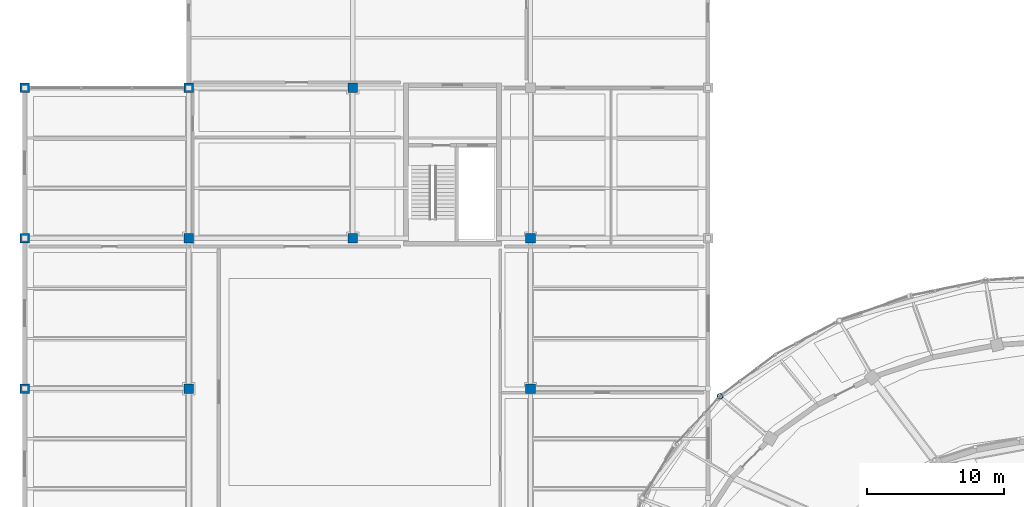
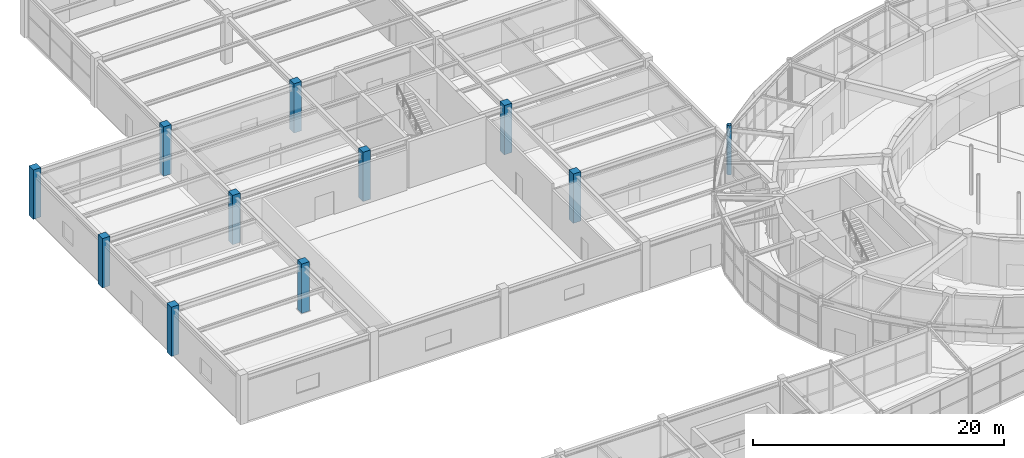
# One storey, part 11 of 108: 11 columns.
"""IFC4 building model written with IfcOpenShell, lengths in metres."""

import ifcopenshell
import ifcopenshell.guid

model = None  # the IFC model being written
_history = None  # IfcOwnerHistory: only IFC2X3 demands one
_inside = {}  # id of a spatial element -> (the spatial element, [elements in it])
_under = {}  # id of a project, library or spatial element -> (it, [spatial elements below it])
_declared = {}  # id of a project -> (the project, [libraries it declares])
_typed = {}  # id of a type object -> (the type object, [elements of that type])
_made_of = {}  # id of a material, layer set ... -> (it, [elements and type objects made of it])


def new_model(schema):
    """Start an empty IFC model of exactly this schema.

    Asked for "IFC4X3", IfcOpenShell would pick the latest addendum, in which some entities
    have other attributes; the version numbers below select the first issue.
    IFC2X3 requires an IfcOwnerHistory on every rooted entity: one is made here for all.
    """
    global model, _history
    if schema == "IFC4X3":
        model = ifcopenshell.file(schema_version=(4, 3, 0, 0))
    else:
        model = ifcopenshell.file(schema=schema)
    _inside.clear()
    _under.clear()
    _declared.clear()
    _typed.clear()
    _made_of.clear()
    _history = None
    if model.schema == "IFC2X3":
        org = make("IfcOrganization", Name="unknown")
        user = make(
            "IfcPersonAndOrganization",
            ThePerson=make("IfcPerson", FamilyName="unknown"),
            TheOrganization=org,
        )
        app = make(
            "IfcApplication",
            ApplicationDeveloper=org,
            Version="unknown",
            ApplicationFullName="unknown",
            ApplicationIdentifier="unknown",
        )
        _history = make(
            "IfcOwnerHistory",
            OwningUser=user,
            OwningApplication=app,
            ChangeAction="ADDED",
            CreationDate=0,
        )
    return model


def make(cls, **values):
    """One entity of the class cls with the attributes given. An attribute that is None is left unset."""
    return model.create_entity(
        cls, **{name: value for name, value in values.items() if value is not None}
    )


def rooted(cls, **values):
    """An entity with a GlobalId (a new one), such as an element, a storey or a relation."""
    return make(cls, GlobalId=ifcopenshell.guid.new(), OwnerHistory=_history, **values)


def si_unit(unit_type, name, prefix=None):
    """IfcSIUnit, for example si_unit("LENGTHUNIT", "METRE", prefix="MILLI")."""
    return make("IfcSIUnit", UnitType=unit_type, Prefix=prefix, Name=name)


def assignment(units):
    """IfcUnitAssignment: the units of a project."""
    return None if units is None else make("IfcUnitAssignment", Units=units)


def point(xyz):
    """IfcCartesianPoint."""
    return None if xyz is None else make("IfcCartesianPoint", Coordinates=xyz)


def direction(xyz):
    """IfcDirection."""
    return None if xyz is None else make("IfcDirection", DirectionRatios=xyz)


def frame(location, z_axis=None, x_axis=None):
    """IfcAxis2Placement3D, a coordinate frame: its origin and axes. An axis left out is left unset."""
    return make(
        "IfcAxis2Placement3D",
        Location=point(location),
        Axis=direction(z_axis),
        RefDirection=direction(x_axis),
    )


def frame_2d(location, x_axis=None):
    """IfcAxis2Placement2D, a coordinate frame in the plane: its origin and x axis."""
    return make(
        "IfcAxis2Placement2D", Location=point(location), RefDirection=direction(x_axis)
    )


def origin():
    """The frame at (0, 0, 0) with its axes left unset."""
    return frame((0.0, 0.0, 0.0))


def origin_2d():
    """The frame at (0, 0) in the plane with its x axis left unset."""
    return frame_2d((0.0, 0.0))


def place(relative_to, where):
    """IfcLocalPlacement: puts the frame where relative to a parent placement (None: the world)."""
    return make(
        "IfcLocalPlacement", PlacementRelTo=relative_to, RelativePlacement=where
    )


def context(
    kind, dimensions, precision=None, world=None, true_north=None, identifier=None
):
    """IfcGeometricRepresentationContext, for example the 3D "Model" context."""
    return make(
        "IfcGeometricRepresentationContext",
        ContextIdentifier=identifier,
        ContextType=kind,
        CoordinateSpaceDimension=dimensions,
        Precision=precision,
        WorldCoordinateSystem=world,
        TrueNorth=true_north,
    )


def subcontext(parent, identifier, kind, view, scale=None):
    """IfcGeometricRepresentationSubContext, for example "Body" below "Model"."""
    return make(
        "IfcGeometricRepresentationSubContext",
        ContextIdentifier=identifier,
        ContextType=kind,
        ParentContext=parent,
        TargetScale=scale,
        TargetView=view,
    )


def project(units=None, contexts=None):
    """IfcProject with its units and contexts."""
    return rooted(
        "IfcProject",
        Name="project",
        RepresentationContexts=contexts,
        UnitsInContext=assignment(units),
    )


def spatial(cls, under=None, at=None, **own):
    """A site, building, storey or space (cls), placed at a placement, below another one or the project."""
    s = rooted(cls, ObjectPlacement=at, **own)
    if under is not None:
        _under.setdefault(under.id(), (under, []))[1].append(s)
    return s


def profile(cls, at=None, kind="AREA", **sizes):
    """A parametric profile (cls). Its sizes go by their IFC names, for example OverallWidth=200.0."""
    return make(cls, ProfileType=kind, Position=at, **sizes)


def rectangle(**sizes):
    """IfcRectangleProfileDef."""
    return profile("IfcRectangleProfileDef", **sizes)


def hollow_circle(**sizes):
    """IfcCircleHollowProfileDef."""
    return profile("IfcCircleHollowProfileDef", **sizes)


def extrude(swept, where, along, depth):
    """IfcExtrudedAreaSolid: the profile swept, set in the frame where, extruded along a direction by depth."""
    return make(
        "IfcExtrudedAreaSolid",
        SweptArea=swept,
        Position=where,
        ExtrudedDirection=direction(along),
        Depth=depth,
    )


def shape(context_of_items, identifier, shape_type, items):
    """IfcShapeRepresentation: the items that make up one representation, for example the "Body"."""
    return make(
        "IfcShapeRepresentation",
        ContextOfItems=context_of_items,
        RepresentationIdentifier=identifier,
        RepresentationType=shape_type,
        Items=items,
    )


def material(Name=None, Category=None):
    """IfcMaterial."""
    return make("IfcMaterial", Name=Name, Category=Category)


def material_profile(
    of_material, cross_section, Name=None, Category=None, Priority=None
):
    """IfcMaterialProfile: a cross section and its material."""
    return make(
        "IfcMaterialProfile",
        Name=Name,
        Material=of_material,
        Profile=cross_section,
        Priority=Priority,
        Category=Category,
    )


def profile_set(profiles, Name=None, composite=None):
    """IfcMaterialProfileSet."""
    return make(
        "IfcMaterialProfileSet",
        Name=Name,
        MaterialProfiles=profiles,
        CompositeProfile=composite,
    )


def made_of(thing, what):
    """Note that an element or type object is made of a material, layer set ...; save() writes the relation."""
    if what is not None:
        _made_of.setdefault(what.id(), (what, []))[1].append(thing)
    return thing


def type_object(cls, material=None, **own):
    """A type object (cls), such as IfcWallType, which elements share."""
    return made_of(rooted(cls, **own), material)


def element(
    cls,
    number,
    at=None,
    inside=None,
    cuts=None,
    type_object=None,
    material=None,
    context=None,
    identifier="Body",
    shape_type=None,
    held_by="IfcProductDefinitionShape",
    body=None,
    shapes=None,
    **own,
):
    """One element of the class cls, such as IfcWall. Its Tag is "e" and its number.

    at: its placement. inside: the storey or other place that contains it. cuts: it is an
    opening in that element (IfcRelVoidsElement). A single representation is given by context,
    identifier, shape_type and body (its items); several are given by shapes. held_by: the class
    of the entity that holds the representations. save() writes the other relations.
    """
    e = rooted(cls, Tag="e%d" % number, ObjectPlacement=at, **own)
    if body is not None:
        shapes = [shape(context, identifier, shape_type, body)]
    if shapes is not None:
        e.Representation = make(held_by, Representations=shapes)
    if inside is not None:
        _inside.setdefault(inside.id(), (inside, []))[1].append(e)
    if cuts is not None:
        rooted(
            "IfcRelVoidsElement", RelatingBuildingElement=cuts, RelatedOpeningElement=e
        )
    if type_object is not None:
        _typed.setdefault(type_object.id(), (type_object, []))[1].append(e)
    return made_of(e, material)


def aggregate(whole, parts):
    """IfcRelAggregates: a whole, such as a stair, and the parts it consists of."""
    return rooted("IfcRelAggregates", RelatingObject=whole, RelatedObjects=parts)


def save(model, path):
    """Write the relations noted so far, then the file.

    IfcRelAggregates (storeys below a building ...), IfcRelContainedInSpatialStructure (elements
    in a storey), IfcRelDefinesByType, IfcRelAssociatesMaterial and IfcRelDeclares: one each for
    every whole, place, type object, material and project.
    """
    for whole, parts in _under.values():
        aggregate(whole, parts)
    for where, things in _inside.values():
        rooted(
            "IfcRelContainedInSpatialStructure",
            RelatedElements=things,
            RelatingStructure=where,
        )
    for kind, things in _typed.values():
        rooted("IfcRelDefinesByType", RelatedObjects=things, RelatingType=kind)
    for what, things in _made_of.values():
        rooted("IfcRelAssociatesMaterial", RelatedObjects=things, RelatingMaterial=what)
    for by, libraries in _declared.values():
        rooted("IfcRelDeclares", RelatingContext=by, RelatedDefinitions=libraries)
    model.write(path)


model = new_model("IFC4")

# Units and contexts
model_context = context("Model", 3, precision=1e-05, world=origin(), true_north=direction((0.0, 1.0)))
body_context = subcontext(model_context, "Body", "Model", "MODEL_VIEW")
ifc_project = project(units=[si_unit("LENGTHUNIT", "METRE"), si_unit("AREAUNIT", "SQUARE_METRE"), si_unit("VOLUMEUNIT", "CUBIC_METRE"), si_unit("PLANEANGLEUNIT", "RADIAN"), si_unit("MASSUNIT", "GRAM", prefix="KILO")], contexts=[model_context])

# Site, building, storey
site_placement = place(None, origin())
site = spatial("IfcSite", under=ifc_project, at=site_placement, CompositionType="ELEMENT")
building_placement = place(site_placement, origin())
building = spatial("IfcBuilding", under=site, at=building_placement, Name="Tarnveldt Headland Concert Hall", CompositionType="ELEMENT")
storey_placement = place(building_placement, origin())
storey = spatial("IfcBuildingStorey", under=building, at=storey_placement, Name="L00", CompositionType="ELEMENT", Elevation=0.0)

# Columns
ifc_material_1 = material(Name="Concrete C40/50", Category="concrete")
ifc_material_profile_1 = material_profile(ifc_material_1, rectangle(XDim=0.699951171875, YDim=0.699951171875, at=origin_2d()), Name="RC 700x700", Category="concrete")
ifc_profile_set_1 = profile_set([ifc_material_profile_1], Name="Concrete C40/50")
column_type_1 = type_object("IfcColumnType", Name="CC-700", PredefinedType="COLUMN", material=ifc_profile_set_1)
for number, where, z_axis, x_axis, name in (
    (1, (7.5, 71.0, 0.0), (0.0, 0.0, 1.0), (1.0, 0.0, 0.0), "Column V5C02 L00"),
    (2, (7.5, 82.0, 0.0), (0.0, 0.0, 1.0), (1.0, 0.0, 0.0), "Column V5C03 L00"),
    (3, (7.5, 93.0, 0.0), (0.0, 0.0, 1.0), (1.0, 0.0, 0.0), "Column V5C04 L00"),
    (4, (19.5, 71.0, 0.0), (0.0, 0.0, 1.0), (1.0, 0.0, 0.0), "Column V5C06 L00"),
    (5, (19.5, 82.0, 0.0), (0.0, 0.0, 1.0), (1.0, 0.0, 0.0), "Column V5C07 L00"),
    (6, (19.5, 93.0, 0.0), (0.0, 0.0, 1.0), (1.0, 0.0, 0.0), "Column V5C08 L00"),
    (7, (31.5, 82.0, 0.0), (0.0, 0.0, 1.0), (1.0, 0.0, 0.0), "Column V5C12 L00"),
    (8, (31.5, 93.0, 0.0), (0.0, 0.0, 1.0), (1.0, 0.0, 0.0), "Column V5C13 L00"),
    (9, (44.5, 71.0, 0.0), (0.0, 0.0, 1.0), (1.0, 0.0, 0.0), "Column V5C17 L00"),
    (10, (44.5, 82.0, 0.0), (0.0, 0.0, 1.0), (1.0, 0.0, 0.0), "Column V5C18 L00"),
):
    element("IfcColumn", number, at=place(storey_placement, frame(where, z_axis=z_axis, x_axis=x_axis)), inside=storey, type_object=column_type_1, Name=name, PredefinedType="COLUMN", context=body_context, shape_type="SweptSolid", body=[
        extrude(rectangle(XDim=0.699951171875, YDim=0.699951171875, at=origin_2d()), origin(), (0.0, 0.0, 1.0), 4.800048828125),
    ])
ifc_material_2 = material(Name="Steel S355", Category="steel")
ifc_material_profile_2 = material_profile(ifc_material_2, hollow_circle(Radius=0.203125, WallThickness=0.02490234375, at=origin_2d()), Name="CHS 406.4x25", Category="steel")
ifc_profile_set_2 = profile_set([ifc_material_profile_2], Name="Steel S355")
column_type_2 = type_object("IfcColumnType", Name="SC-CHS406", PredefinedType="COLUMN", material=ifc_profile_set_2)
column_placement = place(storey_placement, frame((58.373779296875, 70.441162109375, 0.0), z_axis=(0.0, 0.0, 1.0), x_axis=(-0.84442143206, 0.535679423796, 0.0)))
element("IfcColumn", 11, at=column_placement, inside=storey, type_object=column_type_2, Name="Column V1C08 L00", PredefinedType="COLUMN", context=body_context, shape_type="SweptSolid", body=[
    extrude(hollow_circle(Radius=0.203125, WallThickness=0.02490234375, at=origin_2d()), origin(), (0.0, 0.0, 1.0), 4.800048828125),
])

save(model, "model.ifc")
